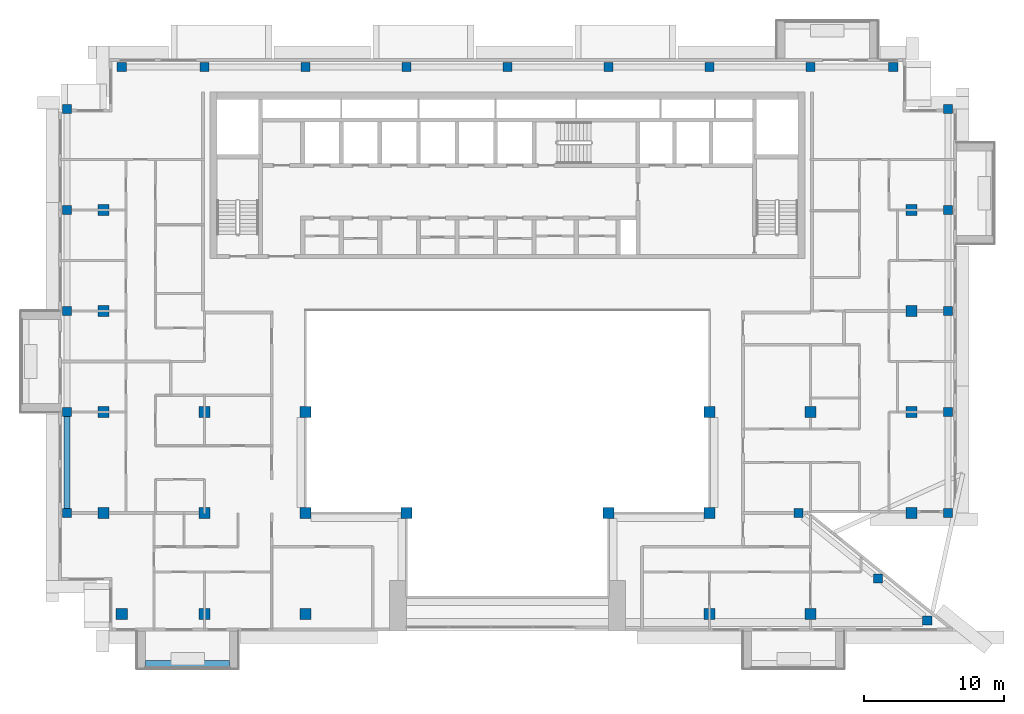
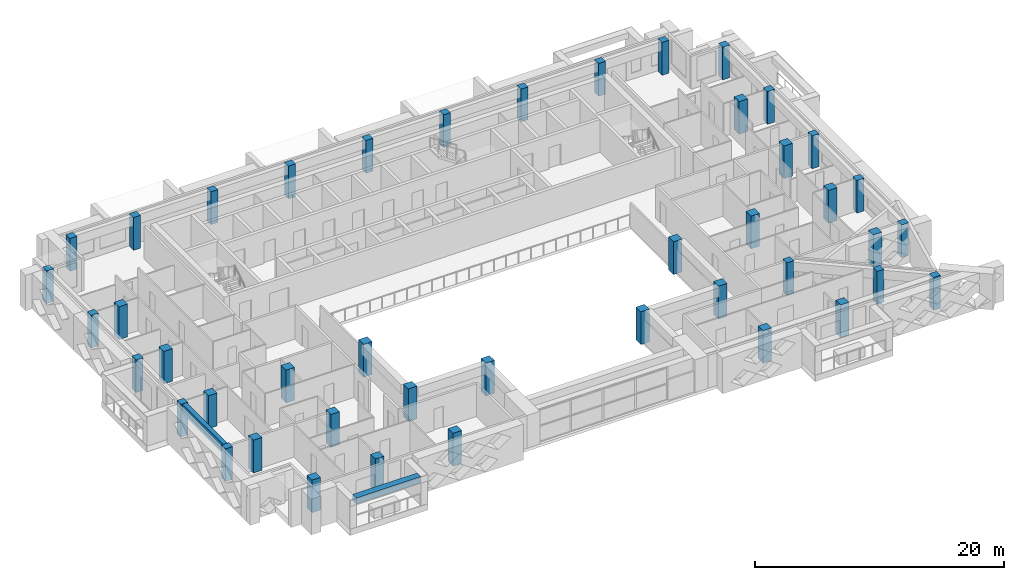
# One storey, part 1 of 19: 44 columns, 2 beams.
"""IFC4 building model written with IfcOpenShell, lengths in metres."""

from ifc_helpers import new_model, si_unit, direction, frame, origin, origin_2d, place, context, subcontext, project, spatial, rectangle, extrude, source, transform, mapped, material, material_profile, profile_set, type_object, element, save


model = new_model("IFC4")

# Units and contexts
model_context = context("Model", 3, precision=1e-05, world=origin(), true_north=direction((0.0, 1.0)))
body_context = subcontext(model_context, "Body", "Model", "MODEL_VIEW")
ifc_project = project(units=[si_unit("LENGTHUNIT", "METRE"), si_unit("AREAUNIT", "SQUARE_METRE"), si_unit("VOLUMEUNIT", "CUBIC_METRE"), si_unit("PLANEANGLEUNIT", "RADIAN"), si_unit("MASSUNIT", "GRAM", prefix="KILO")], contexts=[model_context])

# Site, building, storey
site_placement = place(None, origin())
site = spatial("IfcSite", under=ifc_project, at=site_placement, CompositionType="ELEMENT")
building_placement = place(site_placement, origin())
building = spatial("IfcBuilding", under=site, at=building_placement, Name="Saffron Iwan Residences", CompositionType="ELEMENT")
storey_placement = place(building_placement, frame((0.0, 0.0, 236.0)))
storey = spatial("IfcBuildingStorey", under=building, at=storey_placement, Name="L63", CompositionType="ELEMENT", Elevation=236.0)

# Columns
ifc_material_1 = material(Name="Concrete C40/50", Category="concrete")
ifc_material_profile_1 = material_profile(ifc_material_1, rectangle(XDim=0.64990234375, YDim=0.64990234375, at=origin_2d()), Name="RC 650x650")
ifc_profile_set_1 = profile_set([ifc_material_profile_1], Name="Concrete C40/50")
column_type_1 = type_object("IfcColumnType", Name="COL RC 650x650 C40/50 3220 HIGH", PredefinedType="COLUMN", material=ifc_profile_set_1)
shared_shape_1 = source(origin(), body_context, "Body", "SweptSolid", [
    extrude(rectangle(XDim=0.64990234375, YDim=0.64990234375, at=origin_2d()), origin(), (0.0, 0.0, 1.0), 3.219970703125),
])
for number, where, z_axis, x_axis, name in (
    (1, (80.32568359375, 40.3330078125, 0.0), (0.0, 0.0, 1.0), (1.0, 0.0, 0.0), "Column C046"),
    (2, (76.822998046875, 43.333251953125, 0.0), (0.0, 0.0, 1.0), (1.0, 0.0, 0.0), "Column C057"),
    (3, (19.0, 48.0, 0.0), (0.0, 0.0, 1.0), (1.0, 0.0, 0.0), "Column C062"),
    (4, (71.14990234375, 48.0, 0.0), (0.0, 0.0, 1.0), (1.0, 0.0, 0.0), "Column C070"),
    (5, (81.800048828125, 48.0, 0.0), (0.0, 0.0, 1.0), (1.0, 0.0, 0.0), "Column C073"),
    (6, (19.0, 55.199951171875, 0.0), (0.0, 0.0, 1.0), (1.0, 0.0, 0.0), "Column C078"),
    (7, (81.800048828125, 55.199951171875, 0.0), (0.0, 0.0, 1.0), (1.0, 0.0, 0.0), "Column C085"),
    (8, (19.0, 62.39990234375, 0.0), (0.0, 0.0, 1.0), (1.0, 0.0, 0.0), "Column C090"),
    (9, (81.800048828125, 62.39990234375, 0.0), (0.0, 0.0, 1.0), (1.0, 0.0, 0.0), "Column C093"),
    (10, (19.0, 69.60009765625, 0.0), (0.0, 0.0, 1.0), (1.0, 0.0, 0.0), "Column C098"),
    (11, (81.800048828125, 69.60009765625, 0.0), (0.0, 0.0, 1.0), (1.0, 0.0, 0.0), "Column C101"),
    (12, (19.0, 76.800048828125, 0.0), (0.0, 0.0, 1.0), (1.0, 0.0, 0.0), "Column C106"),
    (13, (81.800048828125, 76.800048828125, 0.0), (0.0, 0.0, 1.0), (1.0, 0.0, 0.0), "Column C109"),
    (14, (22.89990234375, 79.800048828125, 0.0), (0.0, 0.0, 1.0), (1.0, 0.0, 0.0), "Column C114"),
    (15, (28.800048828125, 79.800048828125, 0.0), (0.0, 0.0, 1.0), (1.0, 0.0, 0.0), "Column C115"),
    (16, (36.0, 79.800048828125, 0.0), (0.0, 0.0, 1.0), (1.0, 0.0, 0.0), "Column C116"),
    (17, (43.199951171875, 79.800048828125, 0.0), (0.0, 0.0, 1.0), (1.0, 0.0, 0.0), "Column C117"),
    (18, (50.39990234375, 79.800048828125, 0.0), (0.0, 0.0, 1.0), (1.0, 0.0, 0.0), "Column C118"),
    (19, (57.60009765625, 79.800048828125, 0.0), (0.0, 0.0, 1.0), (1.0, 0.0, 0.0), "Column C119"),
    (20, (64.800048828125, 79.800048828125, 0.0), (0.0, 0.0, 1.0), (1.0, 0.0, 0.0), "Column C120"),
    (21, (72.0, 79.800048828125, 0.0), (0.0, 0.0, 1.0), (1.0, 0.0, 0.0), "Column C121"),
    (22, (77.89990234375, 79.800048828125, 0.0), (0.0, 0.0, 1.0), (1.0, 0.0, 0.0), "Column C122"),
):
    element("IfcColumn", number, at=place(storey_placement, frame(where, z_axis=z_axis, x_axis=x_axis)), inside=storey, type_object=column_type_1, Name=name, PredefinedType="COLUMN", context=body_context, shape_type="MappedRepresentation", body=[
        mapped(shared_shape_1, transform((0.0, 0.0, 0.0))),
    ])
ifc_material_profile_2 = material_profile(ifc_material_1, rectangle(XDim=0.800048828125, YDim=0.800048828125, at=origin_2d()), Name="RC 800x800")
ifc_profile_set_2 = profile_set([ifc_material_profile_2], Name="Concrete C40/50")
column_type_2 = type_object("IfcColumnType", Name="COL RC 800x800 C40/50 3220 HIGH", PredefinedType="COLUMN", material=ifc_profile_set_2)
shared_shape_2 = source(origin(), body_context, "Body", "SweptSolid", [
    extrude(rectangle(XDim=0.800048828125, YDim=0.800048828125, at=origin_2d()), origin(), (0.0, 0.0, 1.0), 3.219970703125),
])
for number, where, z_axis, x_axis, name in (
    (23, (22.89990234375, 40.800048828125, 0.0), (0.0, 0.0, 1.0), (1.0, 0.0, 0.0), "Column C050"),
    (24, (28.800048828125, 40.800048828125, 0.0), (0.0, 0.0, 1.0), (1.0, 0.0, 0.0), "Column C051"),
    (25, (36.0, 40.800048828125, 0.0), (0.0, 0.0, 1.0), (1.0, 0.0, 0.0), "Column C052"),
    (26, (64.800048828125, 40.800048828125, 0.0), (0.0, 0.0, 1.0), (1.0, 0.0, 0.0), "Column C055"),
    (27, (72.0, 40.800048828125, 0.0), (0.0, 0.0, 1.0), (1.0, 0.0, 0.0), "Column C056"),
    (28, (21.60009765625, 48.0, 0.0), (0.0, 0.0, 1.0), (1.0, 0.0, 0.0), "Column C063"),
    (29, (28.800048828125, 48.0, 0.0), (0.0, 0.0, 1.0), (1.0, 0.0, 0.0), "Column C064"),
    (30, (36.0, 48.0, 0.0), (0.0, 0.0, 1.0), (1.0, 0.0, 0.0), "Column C065"),
    (31, (43.199951171875, 48.0, 0.0), (0.0, 0.0, 1.0), (1.0, 0.0, 0.0), "Column C066"),
    (32, (57.60009765625, 48.0, 0.0), (0.0, 0.0, 1.0), (1.0, 0.0, 0.0), "Column C068"),
    (33, (64.800048828125, 48.0, 0.0), (0.0, 0.0, 1.0), (1.0, 0.0, 0.0), "Column C069"),
    (34, (79.199951171875, 48.0, 0.0), (0.0, 0.0, 1.0), (1.0, 0.0, 0.0), "Column C072"),
    (35, (21.60009765625, 55.199951171875, 0.0), (0.0, 0.0, 1.0), (1.0, 0.0, 0.0), "Column C079"),
    (36, (28.800048828125, 55.199951171875, 0.0), (0.0, 0.0, 1.0), (1.0, 0.0, 0.0), "Column C080"),
    (37, (36.0, 55.199951171875, 0.0), (0.0, 0.0, 1.0), (1.0, 0.0, 0.0), "Column C081"),
    (38, (64.800048828125, 55.199951171875, 0.0), (0.0, 0.0, 1.0), (1.0, 0.0, 0.0), "Column C082"),
    (39, (72.0, 55.199951171875, 0.0), (0.0, 0.0, 1.0), (1.0, 0.0, 0.0), "Column C083"),
    (40, (79.199951171875, 55.199951171875, 0.0), (0.0, 0.0, 1.0), (1.0, 0.0, 0.0), "Column C084"),
    (41, (21.60009765625, 62.39990234375, 0.0), (0.0, 0.0, 1.0), (1.0, 0.0, 0.0), "Column C091"),
    (42, (79.199951171875, 62.39990234375, 0.0), (0.0, 0.0, 1.0), (1.0, 0.0, 0.0), "Column C092"),
    (43, (21.60009765625, 69.60009765625, 0.0), (0.0, 0.0, 1.0), (1.0, 0.0, 0.0), "Column C099"),
    (44, (79.199951171875, 69.60009765625, 0.0), (0.0, 0.0, 1.0), (1.0, 0.0, 0.0), "Column C100"),
):
    element("IfcColumn", number, at=place(storey_placement, frame(where, z_axis=z_axis, x_axis=x_axis)), inside=storey, type_object=column_type_2, Name=name, PredefinedType="COLUMN", context=body_context, shape_type="MappedRepresentation", body=[
        mapped(shared_shape_2, transform((0.0, 0.0, 0.0))),
    ])

# Beams
ifc_material_profile_3 = material_profile(ifc_material_1, rectangle(XDim=0.39990234375, YDim=0.89990234375, at=origin_2d()), Name="RC 400x900")
ifc_profile_set_3 = profile_set([ifc_material_profile_3], Name="Concrete C40/50")
beam_type_1 = type_object("IfcBeamType", Name="SPANDREL BEAM RC 400x900 C40/50 TOP 3220", PredefinedType="SPANDREL", material=ifc_profile_set_3)
shared_shape_3 = source(origin(), body_context, "Body", "SweptSolid", [
    extrude(rectangle(XDim=0.39990234375, YDim=0.89990234375, at=origin_2d()), origin(), (0.0, 0.0, 1.0), 6.550048828125),
])
beam_1_placement = place(storey_placement, frame((19.0, 48.324951171875, 2.77001953125), z_axis=(0.0, 1.0, 0.0), x_axis=(-1.0, 0.0, 0.0)))
element("IfcBeam", 45, at=beam_1_placement, inside=storey, type_object=beam_type_1, Name="Spandrel beam", PredefinedType="SPANDREL", context=body_context, shape_type="MappedRepresentation", body=[
    mapped(shared_shape_3, transform((0.0, 0.0, 0.0))),
])
ifc_material_2 = material(Name="Concrete C50/60 white painted", Category="concrete")
ifc_material_profile_4 = material_profile(ifc_material_2, rectangle(XDim=0.60009765625, YDim=0.60009765625, at=origin_2d()), Name="BALCONY FASCIA BEAM 600 x 600")
ifc_profile_set_4 = profile_set([ifc_material_profile_4], Name="Concrete C50/60 white painted")
beam_type_2 = type_object("IfcBeamType", Name="BALCONY FASCIA BEAM 600 x 600", PredefinedType="BEAM", material=ifc_profile_set_4)
shared_shape_4 = source(origin(), body_context, "Body", "SweptSolid", [
    extrude(rectangle(XDim=0.60009765625, YDim=0.60009765625, at=origin_2d()), origin(), (0.0, 0.0, 1.0), 6.0),
])
beam_2_placement = place(storey_placement, frame((24.60009765625, 37.199951171875, 2.550048828125), z_axis=(1.0, 0.0, 0.0), x_axis=(0.0, 1.0, 0.0)))
element("IfcBeam", 46, at=beam_2_placement, inside=storey, type_object=beam_type_2, Name="Balcony fascia beam L63 11-0", PredefinedType="BEAM", context=body_context, shape_type="MappedRepresentation", body=[
    mapped(shared_shape_4, transform((0.0, 0.0, 0.0))),
])

save(model, "model.ifc")
